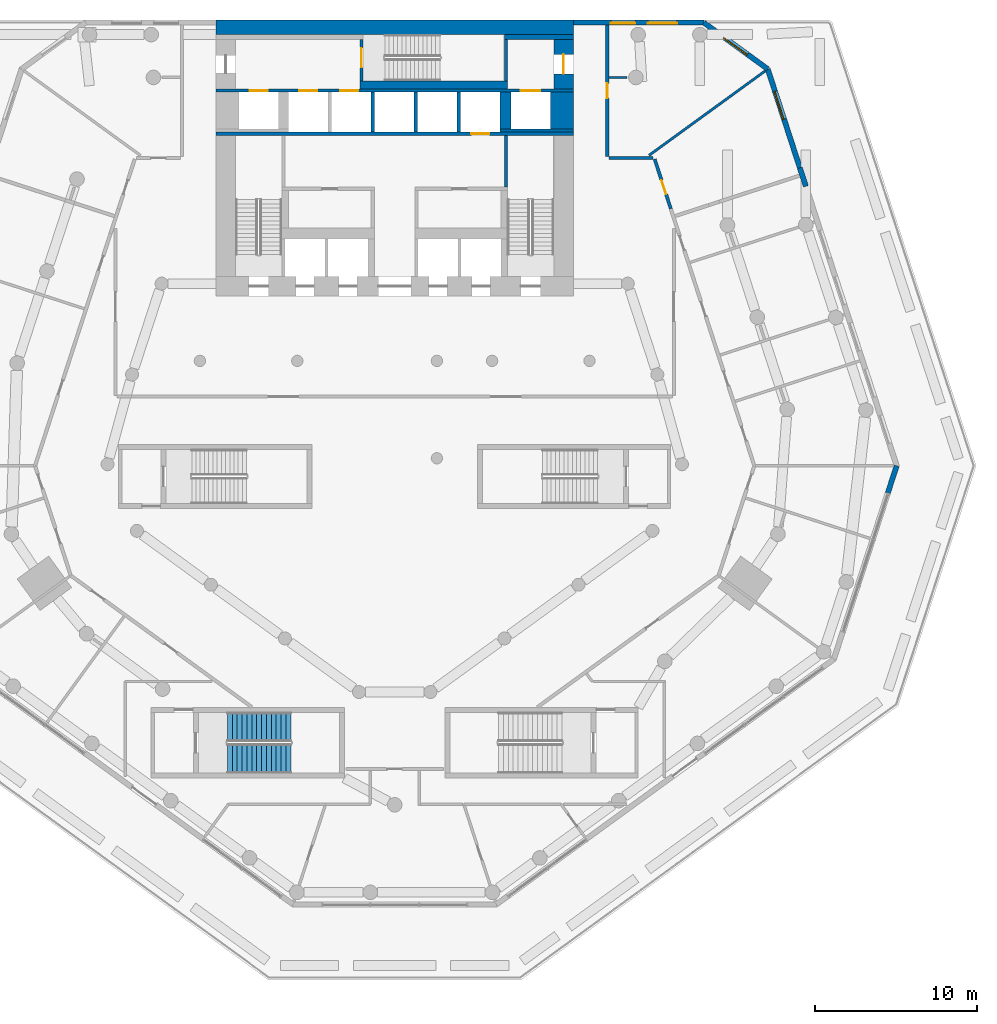
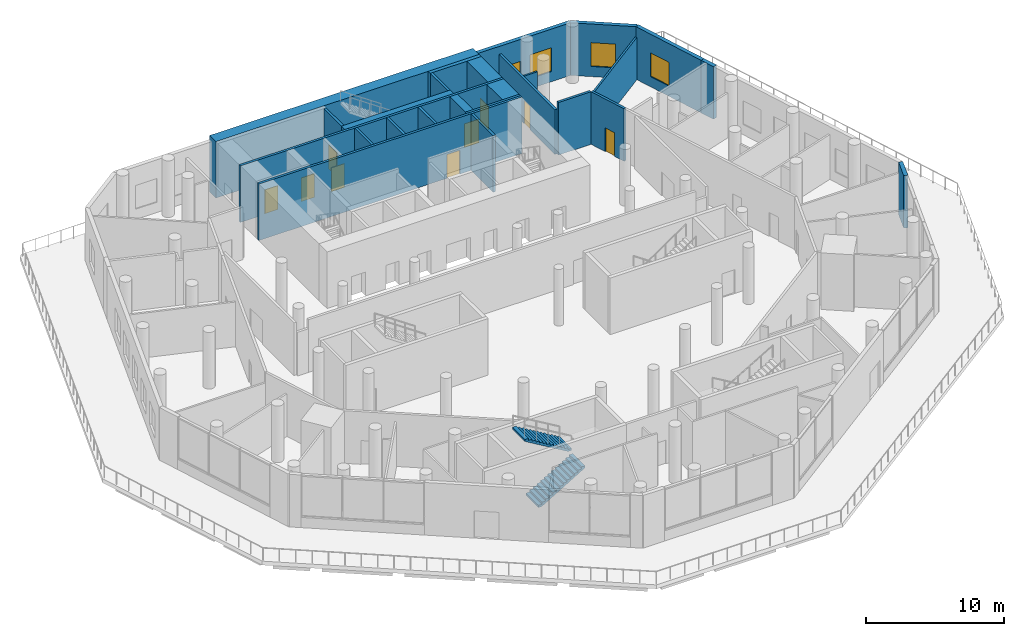
# One storey, part 13 of 19: 25 walls, 9 doors, 4 windows, 2 stair flights, 13 openings, 1 element without a shape of its own.
"""IFC4 building model written with IfcOpenShell, lengths in metres."""

from ifc_helpers import new_model, si_unit, direction, frame, frame_2d, origin, place, context, subcontext, project, spatial, polyline, rectangle, outline, extrude, material, layer, layer_set, type_object, element, fill, aggregate, save


model = new_model("IFC4")

# Units and contexts
model_context = context("Model", 3, precision=1e-05, world=origin(), true_north=direction((0.0, 1.0)))
body_context = subcontext(model_context, "Body", "Model", "MODEL_VIEW")
ifc_project = project(units=[si_unit("LENGTHUNIT", "METRE"), si_unit("AREAUNIT", "SQUARE_METRE"), si_unit("VOLUMEUNIT", "CUBIC_METRE"), si_unit("PLANEANGLEUNIT", "RADIAN"), si_unit("MASSUNIT", "GRAM", prefix="KILO")], contexts=[model_context])

# Site, building, storey
site_placement = place(None, origin())
site = spatial("IfcSite", under=ifc_project, at=site_placement, CompositionType="ELEMENT")
building_placement = place(site_placement, origin())
building = spatial("IfcBuilding", under=site, at=building_placement, Name="White Candle Pilgrim Tower", CompositionType="ELEMENT")
storey_placement = place(building_placement, frame((0.0, 0.0, 29.0)))
storey = spatial("IfcBuildingStorey", under=building, at=storey_placement, Name="L04", CompositionType="ELEMENT", Elevation=29.0)

# Wall, opening, door
ifc_material_1 = material(Name="Concrete C70/85", Category="concrete")
ifc_layer_1 = layer(ifc_material_1, 1.199951171875)
ifc_layer_set_1 = layer_set([ifc_layer_1], Name="Core wall 1200 mm Concrete C70/85")
wall_type_1 = type_object("IfcWallType", Name="Core wall 1200 mm Concrete C70/85", PredefinedType="SHEAR", material=ifc_layer_set_1)
wall_1_placement = place(storey_placement, frame((80.39990234375, 83.75, 0.0), z_axis=(0.0, 0.0, 1.0), x_axis=(0.0, 1.0, 0.0)))
wall_1 = element("IfcWall", 1, at=wall_1_placement, inside=storey, type_object=wall_type_1, Name="WL-L04-C54", PredefinedType="SHEAR", context=body_context, shape_type="SweptSolid", body=[
    extrude(rectangle(XDim=3.050048828125, YDim=1.199951171875, at=frame_2d((1.52490234375, 0.0))), origin(), (0.0, 0.0, 1.0), 5.0),
])
opening_1_placement = place(wall_1_placement, frame((0.925048828125, 0.0, 0.0)))
opening_1 = element("IfcOpeningElement", 2, at=opening_1_placement, cuts=wall_1, Name="Opening L04-006", PredefinedType="OPENING", context=body_context, shape_type="SweptSolid", body=[
    extrude(rectangle(XDim=1.199951171875, YDim=2.10009765625, at=frame_2d((0.60009765625, 1.050048828125))), frame((0.0, 0.60986328125, 0.0), z_axis=(0.0, -1.0, 0.0), x_axis=(1.0, 0.0, 0.0)), (0.0, 0.0, 1.0), 1.219970703125),
])
ifc_material_2 = material(Name="Steel door leaf", Category="steel")
door_type_1 = type_object("IfcDoorType", Name="Fire door 1200 x 2100 EI 30", OperationType="NOTDEFINED", PredefinedType="DOOR", material=ifc_material_2)
door_1_placement = place(opening_1_placement, origin())
door_1 = element("IfcDoor", 3, at=door_1_placement, inside=storey, type_object=door_type_1, Name="Door L04-006", OperationType="SINGLE_SWING_RIGHT", OverallHeight=2.10009765625, OverallWidth=1.199951171875, PredefinedType="DOOR", context=body_context, shape_type="SweptSolid", body=[
    extrude(rectangle(XDim=1.199951171875, YDim=2.10009765625, at=frame_2d((0.60009765625, 1.050048828125))), frame((0.0, 0.02490234375, 0.0), z_axis=(0.0, -1.0, 0.0), x_axis=(1.0, 0.0, 0.0)), (0.0, 0.0, 1.0), 0.050048828125),
])
fill(opening_1, door_1)

# Walls
ifc_layer_2 = layer(ifc_material_1, 1.39990234375)
ifc_layer_set_2 = layer_set([ifc_layer_2], Name="Core wall 1400 mm Concrete C70/85")
wall_type_2 = type_object("IfcWallType", Name="Core wall 1400 mm Concrete C70/85", PredefinedType="SHEAR", material=ifc_layer_set_2)
wall_2_placement = place(storey_placement, frame((80.300048828125, 81.300048828125, 0.0), z_axis=(0.0, 0.0, 1.0), x_axis=(0.0, 1.0, 0.0)))
element("IfcWall", 4, at=wall_2_placement, inside=storey, type_object=wall_type_2, Name="WL-L04-C50", PredefinedType="SHEAR", context=body_context, shape_type="SweptSolid", body=[
    extrude(rectangle(XDim=2.25, YDim=1.39990234375, at=frame_2d((1.125, 0.0))), origin(), (0.0, 0.0, 1.0), 5.0),
])
ifc_layer_3 = layer(ifc_material_1, 0.199951171875)
ifc_layer_set_3 = layer_set([ifc_layer_3], Name="Core wall 200 mm Concrete C70/85")
wall_type_3 = type_object("IfcWallType", Name="Core wall 200 mm Concrete C70/85", PredefinedType="SHEAR", material=ifc_layer_set_3)
wall_3_placement = place(storey_placement, frame((76.5, 81.199951171875, 0.0), z_axis=(0.0, 0.0, 1.0), x_axis=(1.0, 0.0, 0.0)))
element("IfcWall", 5, at=wall_3_placement, inside=storey, type_object=wall_type_3, Name="WL-L04-C46", PredefinedType="SHEAR", context=body_context, shape_type="SweptSolid", body=[
    extrude(rectangle(XDim=4.5, YDim=0.199951171875, at=frame_2d((2.25, 0.0))), origin(), (0.0, 0.0, 1.0), 5.0),
])

# Wall, openings, doors
wall_4_placement = place(storey_placement, frame((59.0, 83.64990234375, 0.0), z_axis=(0.0, 0.0, 1.0), x_axis=(1.0, 0.0, 0.0)))
wall_4 = element("IfcWall", 6, at=wall_4_placement, inside=storey, type_object=wall_type_3, Name="WL-L04-C51", PredefinedType="SHEAR", context=body_context, shape_type="SweptSolid", body=[
    extrude(rectangle(XDim=22.0, YDim=0.199951171875, at=frame_2d((11.0, 0.0))), origin(), (0.0, 0.0, 1.0), 5.0),
])
opening_2_placement = place(wall_4_placement, frame((5.125, 0.0, 0.0)))
opening_2 = element("IfcOpeningElement", 7, at=opening_2_placement, cuts=wall_4, Name="Opening L04-015", PredefinedType="OPENING", context=body_context, shape_type="SweptSolid", body=[
    extrude(rectangle(XDim=1.10009765625, YDim=2.10009765625, at=frame_2d((0.550048828125, 1.050048828125))), frame((0.0, 0.10986328125, 0.0), z_axis=(0.0, -1.0, 0.0), x_axis=(1.0, 0.0, 0.0)), (0.0, 0.0, 1.0), 0.219970703125),
])
opening_3_placement = place(wall_4_placement, frame((7.64990234375, 0.0, 0.0)))
opening_3 = element("IfcOpeningElement", 8, at=opening_3_placement, cuts=wall_4, Name="Opening L04-016", PredefinedType="OPENING", context=body_context, shape_type="SweptSolid", body=[
    extrude(rectangle(XDim=1.10009765625, YDim=2.10009765625, at=frame_2d((0.550048828125, 1.050048828125))), frame((0.0, 0.10986328125, 0.0), z_axis=(0.0, -1.0, 0.0), x_axis=(1.0, 0.0, 0.0)), (0.0, 0.0, 1.0), 0.219970703125),
])
opening_4_placement = place(wall_4_placement, frame((18.77490234375, 0.0, 0.0)))
opening_4 = element("IfcOpeningElement", 9, at=opening_4_placement, cuts=wall_4, Name="Opening L04-022", PredefinedType="OPENING", context=body_context, shape_type="SweptSolid", body=[
    extrude(rectangle(XDim=1.199951171875, YDim=2.10009765625, at=frame_2d((0.60009765625, 1.050048828125))), frame((0.0, 0.10986328125, 0.0), z_axis=(0.0, -1.0, 0.0), x_axis=(1.0, 0.0, 0.0)), (0.0, 0.0, 1.0), 0.219970703125),
])
opening_5_placement = place(wall_4_placement, frame((2.074951171875, 0.0, 0.0)))
opening_5 = element("IfcOpeningElement", 10, at=opening_5_placement, cuts=wall_4, Name="Opening L04-023", PredefinedType="OPENING", context=body_context, shape_type="SweptSolid", body=[
    extrude(rectangle(XDim=1.10009765625, YDim=2.10009765625, at=frame_2d((0.550048828125, 1.050048828125))), frame((0.0, 0.10986328125, 0.0), z_axis=(0.0, -1.0, 0.0), x_axis=(1.0, 0.0, 0.0)), (0.0, 0.0, 1.0), 0.219970703125),
])
ifc_material_3 = material(Name="Stainless steel", Category="steel")
door_type_2 = type_object("IfcDoorType", Name="Lift landing door 1100 x 2100 EI 60", OperationType="DOUBLE_DOOR_SLIDING", PredefinedType="DOOR", material=ifc_material_3)
door_2_placement = place(opening_2_placement, origin())
door_2 = element("IfcDoor", 11, at=door_2_placement, inside=storey, type_object=door_type_2, Name="Door L04-015", OperationType="DOUBLE_DOOR_SLIDING", OverallHeight=2.10009765625, OverallWidth=1.10009765625, PredefinedType="DOOR", context=body_context, shape_type="SweptSolid", body=[
    extrude(rectangle(XDim=1.10009765625, YDim=2.10009765625, at=frame_2d((0.550048828125, 1.050048828125))), frame((0.0, 0.02490234375, 0.0), z_axis=(0.0, -1.0, 0.0), x_axis=(1.0, 0.0, 0.0)), (0.0, 0.0, 1.0), 0.050048828125),
])
fill(opening_2, door_2)
door_3_placement = place(opening_3_placement, origin())
door_3 = element("IfcDoor", 12, at=door_3_placement, inside=storey, type_object=door_type_2, Name="Door L04-016", OperationType="DOUBLE_DOOR_SLIDING", OverallHeight=2.10009765625, OverallWidth=1.10009765625, PredefinedType="DOOR", context=body_context, shape_type="SweptSolid", body=[
    extrude(rectangle(XDim=1.10009765625, YDim=2.10009765625, at=frame_2d((0.550048828125, 1.050048828125))), frame((0.0, 0.02490234375, 0.0), z_axis=(0.0, -1.0, 0.0), x_axis=(1.0, 0.0, 0.0)), (0.0, 0.0, 1.0), 0.050048828125),
])
fill(opening_3, door_3)
door_4_placement = place(opening_5_placement, origin())
door_4 = element("IfcDoor", 13, at=door_4_placement, inside=storey, type_object=door_type_2, Name="Door L04-023", OperationType="DOUBLE_DOOR_SLIDING", OverallHeight=2.10009765625, OverallWidth=1.10009765625, PredefinedType="DOOR", context=body_context, shape_type="SweptSolid", body=[
    extrude(rectangle(XDim=1.10009765625, YDim=2.10009765625, at=frame_2d((0.550048828125, 1.050048828125))), frame((0.0, 0.02490234375, 0.0), z_axis=(0.0, -1.0, 0.0), x_axis=(1.0, 0.0, 0.0)), (0.0, 0.0, 1.0), 0.050048828125),
])
fill(opening_5, door_4)
door_type_3 = type_object("IfcDoorType", Name="Lift landing door 1200 x 2100 E 60", OperationType="DOUBLE_DOOR_SLIDING", PredefinedType="DOOR", material=ifc_material_3)
door_5_placement = place(opening_4_placement, origin())
door_5 = element("IfcDoor", 14, at=door_5_placement, inside=storey, type_object=door_type_3, Name="Door L04-022", OperationType="DOUBLE_DOOR_SLIDING", OverallHeight=2.10009765625, OverallWidth=1.199951171875, PredefinedType="DOOR", context=body_context, shape_type="SweptSolid", body=[
    extrude(rectangle(XDim=1.199951171875, YDim=2.10009765625, at=frame_2d((0.60009765625, 1.050048828125))), frame((0.0, 0.02490234375, 0.0), z_axis=(0.0, -1.0, 0.0), x_axis=(1.0, 0.0, 0.0)), (0.0, 0.0, 1.0), 0.050048828125),
])
fill(opening_4, door_5)

# Wall, opening, door
ifc_material_4 = material(Name="Gypsum board on steel studs", Category="steel")
ifc_layer_4 = layer(ifc_material_4, 0.199951171875)
ifc_layer_set_4 = layer_set([ifc_layer_4], Name="Corridor wall 200 mm EI 45")
wall_type_4 = type_object("IfcWallType", Name="Corridor wall 200 mm EI 45", PredefinedType="PARTITIONING", material=ifc_layer_set_4)
wall_5_placement = place(storey_placement, frame((83.10009765625, 87.679931640625, 0.0), z_axis=(0.0, 0.0, 1.0), x_axis=(0.0, -1.0, 0.0)))
wall_5 = element("IfcWall", 15, at=wall_5_placement, inside=storey, type_object=wall_type_4, Name="WL-L04-P006", PredefinedType="PARTITIONING", context=body_context, shape_type="SweptSolid", body=[
    extrude(rectangle(XDim=8.079833984375, YDim=0.199951171875, at=frame_2d((4.0400390625, 0.0))), origin(), (0.0, 0.0, 1.0), 3.949951171875),
])
opening_6_placement = place(wall_5_placement, frame((3.590087890625, 0.0, 0.0)))
opening_6 = element("IfcOpeningElement", 16, at=opening_6_placement, cuts=wall_5, Name="Opening L04-123", PredefinedType="OPENING", context=body_context, shape_type="SweptSolid", body=[
    extrude(rectangle(XDim=0.89990234375, YDim=2.10009765625, at=frame_2d((0.449951171875, 1.050048828125))), frame((0.0, 0.10986328125, 0.0), z_axis=(0.0, -1.0, 0.0), x_axis=(1.0, 0.0, 0.0)), (0.0, 0.0, 1.0), 0.219970703125),
])
door_type_4 = type_object("IfcDoorType", Name="Fire door 900 x 2100 EI 30", OperationType="NOTDEFINED", PredefinedType="DOOR", material=ifc_material_2)
door_6_placement = place(opening_6_placement, origin())
door_6 = element("IfcDoor", 17, at=door_6_placement, inside=storey, type_object=door_type_4, Name="Door L04-123", OperationType="SINGLE_SWING_LEFT", OverallHeight=2.10009765625, OverallWidth=0.89990234375, PredefinedType="DOOR", context=body_context, shape_type="SweptSolid", body=[
    extrude(rectangle(XDim=0.89990234375, YDim=2.10009765625, at=frame_2d((0.449951171875, 1.050048828125))), frame((0.0, 0.02490234375, 0.0), z_axis=(0.0, -1.0, 0.0), x_axis=(1.0, 0.0, 0.0)), (0.0, 0.0, 1.0), 0.050048828125),
])
fill(opening_6, door_6)

# Wall
wall_6_placement = place(storey_placement, frame((83.199951171875, 79.5, 0.0), z_axis=(0.0, 0.0, 1.0), x_axis=(1.0, 0.0, 0.0)))
element("IfcWall", 18, at=wall_6_placement, inside=storey, type_object=wall_type_4, Name="WL-L04-P007", PredefinedType="PARTITIONING", context=body_context, shape_type="SweptSolid", body=[
    extrude(rectangle(XDim=2.720458984375, YDim=0.199951171875, at=frame_2d((1.3603515625, 0.0))), origin(), (0.0, 0.0, 1.0), 4.64990234375),
])

# Wall, opening, door
wall_7_placement = place(storey_placement, frame((86.015380859375, 79.430908203125, 0.0), z_axis=(0.0, 0.0, 1.0), x_axis=(0.309041420656, -0.951048579369, 0.0)))
wall_7 = element("IfcWall", 19, at=wall_7_placement, inside=storey, type_object=wall_type_4, Name="WL-L04-P008", PredefinedType="PARTITIONING", context=body_context, shape_type="SweptSolid", body=[
    extrude(rectangle(XDim=3.214599609375, YDim=0.199951171875, at=frame_2d((1.607421875, 0.0))), origin(), (0.0, 0.0, 1.0), 4.64990234375),
])
opening_7_placement = place(wall_7_placement, frame((1.376953125, 0.0, 0.0)))
opening_7 = element("IfcOpeningElement", 20, at=opening_7_placement, cuts=wall_7, Name="Opening L04-116", PredefinedType="OPENING", context=body_context, shape_type="SweptSolid", body=[
    extrude(rectangle(XDim=0.89990234375, YDim=2.10009765625, at=frame_2d((0.449951171875, 1.050048828125))), frame((0.0, 0.10986328125, 0.0), z_axis=(0.0, -1.0, 0.0), x_axis=(1.0, 0.0, 0.0)), (0.0, 0.0, 1.0), 0.219970703125),
])
door_7_placement = place(opening_7_placement, origin())
door_7 = element("IfcDoor", 21, at=door_7_placement, inside=storey, type_object=door_type_4, Name="Door L04-116", OperationType="SINGLE_SWING_RIGHT", OverallHeight=2.10009765625, OverallWidth=0.89990234375, PredefinedType="DOOR", context=body_context, shape_type="SweptSolid", body=[
    extrude(rectangle(XDim=0.89990234375, YDim=2.10009765625, at=frame_2d((0.449951171875, 1.050048828125))), frame((0.0, 0.02490234375, 0.0), z_axis=(0.0, -1.0, 0.0), x_axis=(1.0, 0.0, 0.0)), (0.0, 0.0, 1.0), 0.050048828125),
])
fill(opening_7, door_7)

# Wall
ifc_material_5 = material(Name="Precast concrete C40/50", Category="concrete")
ifc_layer_5 = layer(ifc_material_5, 0.320068359375)
ifc_layer_set_5 = layer_set([ifc_layer_5], Name="Facade wall EW3 precast concrete C40/50 and stone-faced podium wall")
wall_type_5 = type_object("IfcWallType", Name="Facade wall EW3 precast concrete C40/50 and stone-faced podium wall", PredefinedType="SOLIDWALL", material=ifc_layer_set_5)
wall_8_placement = place(storey_placement, frame((100.377685546875, 58.861328125, 0.0), z_axis=(0.0, 0.0, 1.0), x_axis=(0.309036002497, 0.951050339972, 0.0)))
element("IfcWall", 22, at=wall_8_placement, inside=storey, type_object=wall_type_5, Name="Facade wall L04 E chamfer", PredefinedType="SOLIDWALL", context=body_context, shape_type="SweptSolid", body=[
    extrude(rectangle(XDim=1.76416015625, YDim=0.320068359375, at=frame_2d((0.882080078125, 0.0))), origin(), (0.0, 0.0, 1.0), 4.64990234375),
])

# Wall, opening, window
wall_9_placement = place(storey_placement, frame((94.95947265625, 78.892578125, 0.0), z_axis=(0.0, 0.0, 1.0), x_axis=(-0.309016163342, 0.951056786314, 0.0)))
wall_9 = element("IfcWall", 23, at=wall_9_placement, inside=storey, type_object=wall_type_5, Name="Facade wall L04 ENE", PredefinedType="SOLIDWALL", context=body_context, shape_type="SweptSolid", body=[
    extrude(rectangle(XDim=6.396240234375, YDim=0.320068359375, at=frame_2d((3.1982421875, 0.0))), origin(), (0.0, 0.0, 1.0), 4.64990234375),
])
opening_8_placement = place(wall_9_placement, frame((3.149169921875, 0.0, 0.89990234375)))
opening_8 = element("IfcOpeningElement", 24, at=opening_8_placement, cuts=wall_9, Name="Opening W8", PredefinedType="OPENING", context=body_context, shape_type="SweptSolid", body=[
    extrude(rectangle(XDim=1.800048828125, YDim=2.10009765625, at=frame_2d((0.89990234375, 1.050048828125))), frame((0.0, 0.169921875, 0.0), z_axis=(0.0, -1.0, 0.0), x_axis=(1.0, 0.0, 0.0)), (0.0, 0.0, 1.0), 0.340087890625),
])
ifc_material_6 = material(Name="Timber frame with triple glazing", Category="wood")
window_type_1 = type_object("IfcWindowType", Name="Window W8 1800x2100 timber frame triple glazing", PartitioningType="SINGLE_PANEL", PredefinedType="WINDOW", material=ifc_material_6)
window_1_placement = place(opening_8_placement, origin())
window_1 = element("IfcWindow", 25, at=window_1_placement, inside=storey, type_object=window_type_1, Name="Window W8 L04 ENE 8", OverallHeight=2.10009765625, OverallWidth=1.800048828125, PartitioningType="SINGLE_PANEL", PredefinedType="WINDOW", context=body_context, shape_type="SweptSolid", body=[
    extrude(rectangle(XDim=1.800048828125, YDim=2.10009765625, at=frame_2d((0.89990234375, 1.050048828125))), frame((0.0, 0.070068359375, 0.0), z_axis=(0.0, -1.0, 0.0), x_axis=(1.0, 0.0, 0.0)), (0.0, 0.0, 1.0), 0.06005859375),
])
fill(opening_8, window_1)

wall_10_placement = place(storey_placement, frame((92.98291015625, 84.975830078125, 0.0), z_axis=(0.0, 0.0, 1.0), x_axis=(-0.809004657531, 0.587802232127, 0.0)))
wall_10 = element("IfcWall", 26, at=wall_10_placement, inside=storey, type_object=wall_type_5, Name="Facade wall L04 NE chamfer", PredefinedType="SOLIDWALL", context=body_context, shape_type="SweptSolid", body=[
    extrude(rectangle(XDim=4.872802734375, YDim=0.320068359375, at=frame_2d((2.4365234375, 0.0))), origin(), (0.0, 0.0, 1.0), 4.64990234375),
])
opening_9_placement = place(wall_10_placement, frame((1.536376953125, 0.0, 0.89990234375)))
opening_9 = element("IfcOpeningElement", 27, at=opening_9_placement, cuts=wall_10, Name="Opening W8", PredefinedType="OPENING", context=body_context, shape_type="SweptSolid", body=[
    extrude(rectangle(XDim=1.800048828125, YDim=2.10009765625, at=frame_2d((0.89990234375, 1.050048828125))), frame((0.0, 0.169921875, 0.0), z_axis=(0.0, -1.0, 0.0), x_axis=(1.0, 0.0, 0.0)), (0.0, 0.0, 1.0), 0.340087890625),
])
window_2_placement = place(opening_9_placement, origin())
window_2 = element("IfcWindow", 28, at=window_2_placement, inside=storey, type_object=window_type_1, Name="Window W8 L04 NE chamfer 1", OverallHeight=2.10009765625, OverallWidth=1.800048828125, PartitioningType="SINGLE_PANEL", PredefinedType="WINDOW", context=body_context, shape_type="SweptSolid", body=[
    extrude(rectangle(XDim=1.800048828125, YDim=2.10009765625, at=frame_2d((0.89990234375, 1.050048828125))), frame((0.0, 0.070068359375, 0.0), z_axis=(0.0, -1.0, 0.0), x_axis=(1.0, 0.0, 0.0)), (0.0, 0.0, 1.0), 0.06005859375),
])
fill(opening_9, window_2)

# Wall, openings, windows
wall_11_placement = place(storey_placement, frame((89.040771484375, 87.840087890625, 0.0), z_axis=(0.0, 0.0, 1.0), x_axis=(-1.0, 0.0, 0.0)))
wall_11 = element("IfcWall", 29, at=wall_11_placement, inside=storey, type_object=wall_type_5, Name="Facade wall L04 N", PredefinedType="SOLIDWALL", context=body_context, shape_type="SweptSolid", body=[
    extrude(rectangle(XDim=8.040771484375, YDim=0.320068359375, at=frame_2d((4.0205078125, 0.0))), origin(), (0.0, 0.0, 1.0), 4.64990234375),
])
opening_10_placement = place(wall_11_placement, frame((1.640869140625, 0.0, 0.89990234375)))
opening_10 = element("IfcOpeningElement", 30, at=opening_10_placement, cuts=wall_11, Name="Opening W8", PredefinedType="OPENING", context=body_context, shape_type="SweptSolid", body=[
    extrude(rectangle(XDim=1.800048828125, YDim=2.10009765625, at=frame_2d((0.89990234375, 1.050048828125))), frame((0.0, 0.169921875, 0.0), z_axis=(0.0, -1.0, 0.0), x_axis=(1.0, 0.0, 0.0)), (0.0, 0.0, 1.0), 0.340087890625),
])
opening_11_placement = place(wall_11_placement, frame((4.2158203125, 0.0, 0.89990234375)))
opening_11 = element("IfcOpeningElement", 31, at=opening_11_placement, cuts=wall_11, Name="Opening W1", PredefinedType="OPENING", context=body_context, shape_type="SweptSolid", body=[
    extrude(rectangle(XDim=1.5, YDim=1.800048828125, at=frame_2d((0.75, 0.89990234375))), frame((0.0, 0.169921875, 0.0), z_axis=(0.0, -1.0, 0.0), x_axis=(1.0, 0.0, 0.0)), (0.0, 0.0, 1.0), 0.340087890625),
])
window_type_2 = type_object("IfcWindowType", Name="Window W1 1500x1800 timber frame triple glazing", PartitioningType="SINGLE_PANEL", PredefinedType="WINDOW", material=ifc_material_6)
window_3_placement = place(opening_11_placement, origin())
window_3 = element("IfcWindow", 32, at=window_3_placement, inside=storey, type_object=window_type_2, Name="Window W1 L04 N 2", OverallHeight=1.800048828125, OverallWidth=1.5, PartitioningType="SINGLE_PANEL", PredefinedType="WINDOW", context=body_context, shape_type="SweptSolid", body=[
    extrude(rectangle(XDim=1.5, YDim=1.800048828125, at=frame_2d((0.75, 0.89990234375))), frame((0.0, 0.070068359375, 0.0), z_axis=(0.0, -1.0, 0.0), x_axis=(1.0, 0.0, 0.0)), (0.0, 0.0, 1.0), 0.06005859375),
])
fill(opening_11, window_3)
window_4_placement = place(opening_10_placement, origin())
window_4 = element("IfcWindow", 33, at=window_4_placement, inside=storey, type_object=window_type_1, Name="Window W8 L04 N 1", OverallHeight=2.10009765625, OverallWidth=1.800048828125, PartitioningType="SINGLE_PANEL", PredefinedType="WINDOW", context=body_context, shape_type="SweptSolid", body=[
    extrude(rectangle(XDim=1.800048828125, YDim=2.10009765625, at=frame_2d((0.89990234375, 1.050048828125))), frame((0.0, 0.070068359375, 0.0), z_axis=(0.0, -1.0, 0.0), x_axis=(1.0, 0.0, 0.0)), (0.0, 0.0, 1.0), 0.06005859375),
])
fill(opening_10, window_4)

# Walls
ifc_layer_6 = layer(ifc_material_5, 0.320068359375)
ifc_layer_set_6 = layer_set([ifc_layer_6], Name="Facade wall EW9 precast concrete C40/50 compartment junction wall EI 120")
wall_type_6 = type_object("IfcWallType", Name="Facade wall EW9 precast concrete C40/50 compartment junction wall EI 120", PredefinedType="SOLIDWALL", material=ifc_layer_set_6)
wall_12_placement = place(storey_placement, frame((95.330322265625, 77.75146484375, 0.0), z_axis=(0.0, 0.0, 1.0), x_axis=(-0.309076870563, 0.951037059258, 0.0)))
element("IfcWall", 34, at=wall_12_placement, inside=storey, type_object=wall_type_6, Name="Facade wall L04 ENE", PredefinedType="SOLIDWALL", context=body_context, shape_type="SweptSolid", body=[
    extrude(rectangle(XDim=1.199951171875, YDim=0.320068359375, at=frame_2d((0.60009765625, 0.0))), origin(), (0.0, 0.0, 1.0), 4.64990234375),
])
ifc_layer_7 = layer(ifc_material_4, 0.14990234375)
ifc_layer_set_7 = layer_set([ifc_layer_7], Name="Partition 150 mm EI 60")
wall_type_7 = type_object("IfcWallType", Name="Partition 150 mm EI 60", PredefinedType="PARTITIONING", material=ifc_layer_set_7)
wall_13_placement = place(storey_placement, frame((92.8466796875, 84.876953125, 0.0), z_axis=(0.0, 0.0, 1.0), x_axis=(-0.809019122312, -0.587782323427, 0.0)))
element("IfcWall", 35, at=wall_13_placement, inside=storey, type_object=wall_type_7, Name="WL-L04-P019", PredefinedType="PARTITIONING", context=body_context, shape_type="SweptSolid", body=[
    extrude(rectangle(XDim=8.87451171875, YDim=0.14990234375, at=frame_2d((4.437255859375, 0.0))), origin(), (0.0, 0.0, 1.0), 3.75),
])
wall_14_placement = place(storey_placement, frame((84.320068359375, 84.457763671875, 0.0), z_axis=(0.0, 0.0, 1.0), x_axis=(-1.0, 0.0, 0.0)))
element("IfcWall", 36, at=wall_14_placement, inside=storey, type_object=wall_type_7, Name="WL-L04-P040", PredefinedType="PARTITIONING", context=body_context, shape_type="SweptSolid", body=[
    extrude(rectangle(XDim=1.1201171875, YDim=0.14990234375, at=frame_2d((0.56005859375, 0.0))), origin(), (0.0, 0.0, 1.0), 3.949951171875),
])
ifc_layer_8 = layer(ifc_material_1, 0.199951171875)
ifc_layer_set_8 = layer_set([ifc_layer_8], Name="Shaft wall 200 mm Concrete C70/85")
wall_type_8 = type_object("IfcWallType", Name="Shaft wall 200 mm Concrete C70/85", PredefinedType="SHEAR", material=ifc_layer_set_8)
for number, where, z_axis, x_axis, name in (
    (37, (68.64990234375, 81.10009765625, 0.0), (0.0, 0.0, 1.0), (0.0, 1.0, 0.0), "WL-L04-C43"),
    (38, (71.300048828125, 81.10009765625, 0.0), (0.0, 0.0, 1.0), (0.0, 1.0, 0.0), "WL-L04-C44"),
    (39, (73.949951171875, 81.10009765625, 0.0), (0.0, 0.0, 1.0), (0.0, 1.0, 0.0), "WL-L04-C45"),
):
    element("IfcWall", number, at=place(storey_placement, frame(where, z_axis=z_axis, x_axis=x_axis)), inside=storey, type_object=wall_type_8, Name=name, PredefinedType="SHEAR", context=body_context, shape_type="SweptSolid", body=[
        extrude(rectangle(XDim=2.449951171875, YDim=0.199951171875, at=frame_2d((1.22509765625, 0.0))), origin(), (0.0, 0.0, 1.0), 5.0),
    ])
ifc_layer_9 = layer(ifc_material_1, 0.64990234375)
ifc_layer_set_9 = layer_set([ifc_layer_9], Name="Shaft wall 650 mm Concrete C70/85")
wall_type_9 = type_object("IfcWallType", Name="Shaft wall 650 mm Concrete C70/85", PredefinedType="SHEAR", material=ifc_layer_set_9)
wall_15_placement = place(storey_placement, frame((76.824951171875, 81.300048828125, 0.0), z_axis=(0.0, 0.0, 1.0), x_axis=(0.0, 1.0, 0.0)))
element("IfcWall", 40, at=wall_15_placement, inside=storey, type_object=wall_type_9, Name="WL-L04-C49", PredefinedType="SHEAR", context=body_context, shape_type="SweptSolid", body=[
    extrude(rectangle(XDim=2.25, YDim=0.64990234375, at=frame_2d((1.125, 0.0))), origin(), (0.0, 0.0, 1.0), 5.0),
])
ifc_layer_10 = layer(ifc_material_1, 0.199951171875)
ifc_layer_set_10 = layer_set([ifc_layer_10], Name="Stair shaft wall 200 mm Concrete C70/85")
wall_type_10 = type_object("IfcWallType", Name="Stair shaft wall 200 mm Concrete C70/85", PredefinedType="SHEAR", material=ifc_layer_set_10)
wall_16_placement = place(storey_placement, frame((76.85009765625, 77.699951171875, 0.0), z_axis=(0.0, 0.0, 1.0), x_axis=(0.0, 1.0, 0.0)))
element("IfcWall", 41, at=wall_16_placement, inside=storey, type_object=wall_type_10, Name="WL-L04-C39", PredefinedType="SHEAR", context=body_context, shape_type="SweptSolid", body=[
    extrude(rectangle(XDim=3.199951171875, YDim=0.199951171875, at=frame_2d((1.60009765625, 0.0))), origin(), (0.0, 0.0, 1.0), 5.0),
])

# Wall, opening, door
wall_17_placement = place(storey_placement, frame((59.0, 81.0, 0.0), z_axis=(0.0, 0.0, 1.0), x_axis=(1.0, 0.0, 0.0)))
wall_17 = element("IfcWall", 42, at=wall_17_placement, inside=storey, type_object=wall_type_10, Name="WL-L04-C40", PredefinedType="SHEAR", context=body_context, shape_type="SweptSolid", body=[
    extrude(rectangle(XDim=22.0, YDim=0.199951171875, at=frame_2d((11.0, 0.0))), origin(), (0.0, 0.0, 1.0), 5.0),
])
opening_12_placement = place(wall_17_placement, frame((15.72509765625, 0.0, 0.0)))
opening_12 = element("IfcOpeningElement", 43, at=opening_12_placement, cuts=wall_17, Name="Opening L04-017", PredefinedType="OPENING", context=body_context, shape_type="SweptSolid", body=[
    extrude(rectangle(XDim=1.10009765625, YDim=2.10009765625, at=frame_2d((0.550048828125, 1.050048828125))), frame((0.0, 0.10986328125, 0.0), z_axis=(0.0, -1.0, 0.0), x_axis=(1.0, 0.0, 0.0)), (0.0, 0.0, 1.0), 0.219970703125),
])
door_type_5 = type_object("IfcDoorType", Name="Lift landing door 1100 x 2100 E 60", OperationType="DOUBLE_DOOR_SLIDING", PredefinedType="DOOR", material=ifc_material_3)
door_8_placement = place(opening_12_placement, origin())
door_8 = element("IfcDoor", 44, at=door_8_placement, inside=storey, type_object=door_type_5, Name="Door L04-017", OperationType="DOUBLE_DOOR_SLIDING", OverallHeight=2.10009765625, OverallWidth=1.10009765625, PredefinedType="DOOR", context=body_context, shape_type="SweptSolid", body=[
    extrude(rectangle(XDim=1.10009765625, YDim=2.10009765625, at=frame_2d((0.550048828125, 1.050048828125))), frame((0.0, 0.02490234375, 0.0), z_axis=(0.0, -1.0, 0.0), x_axis=(1.0, 0.0, 0.0)), (0.0, 0.0, 1.0), 0.050048828125),
])
fill(opening_12, door_8)

wall_18_placement = place(storey_placement, frame((67.949951171875, 84.25, 0.0), z_axis=(0.0, 0.0, 1.0), x_axis=(0.0, 1.0, 0.0)))
wall_18 = element("IfcWall", 45, at=wall_18_placement, inside=storey, type_object=wall_type_10, Name="WL-L04-C55", PredefinedType="SHEAR", context=body_context, shape_type="SweptSolid", body=[
    extrude(rectangle(XDim=2.550048828125, YDim=0.199951171875, at=frame_2d((1.27490234375, 0.0))), origin(), (0.0, 0.0, 1.0), 5.0),
])
opening_13_placement = place(wall_18_placement, frame((0.824951171875, 0.0, 0.0)))
opening_13 = element("IfcOpeningElement", 46, at=opening_13_placement, cuts=wall_18, Name="Opening L04-003", PredefinedType="OPENING", context=body_context, shape_type="SweptSolid", body=[
    extrude(rectangle(XDim=1.199951171875, YDim=2.10009765625, at=frame_2d((0.60009765625, 1.050048828125))), frame((0.0, 0.10986328125, 0.0), z_axis=(0.0, -1.0, 0.0), x_axis=(1.0, 0.0, 0.0)), (0.0, 0.0, 1.0), 0.219970703125),
])
door_type_6 = type_object("IfcDoorType", Name="Fire door 1200 x 2100 EI 60", OperationType="NOTDEFINED", PredefinedType="DOOR", material=ifc_material_2)
door_9_placement = place(opening_13_placement, frame((1.199951171875, 0.0, 0.0), z_axis=(0.0, 0.0, 1.0), x_axis=(-1.0, 0.0, 0.0)))
door_9 = element("IfcDoor", 47, at=door_9_placement, inside=storey, type_object=door_type_6, Name="Door L04-003", OperationType="SINGLE_SWING_RIGHT", OverallHeight=2.10009765625, OverallWidth=1.199951171875, PredefinedType="DOOR", context=body_context, shape_type="SweptSolid", body=[
    extrude(rectangle(XDim=1.199951171875, YDim=2.10009765625, at=frame_2d((0.60009765625, 1.050048828125))), frame((0.0, 0.02490234375, 0.0), z_axis=(0.0, -1.0, 0.0), x_axis=(1.0, 0.0, 0.0)), (0.0, 0.0, 1.0), 0.050048828125),
])
fill(opening_13, door_9)

# Walls
wall_19_placement = place(storey_placement, frame((76.85009765625, 84.25, 0.0), z_axis=(0.0, 0.0, 1.0), x_axis=(0.0, 1.0, 0.0)))
element("IfcWall", 48, at=wall_19_placement, inside=storey, type_object=wall_type_10, Name="WL-L04-C56", PredefinedType="SHEAR", context=body_context, shape_type="SweptSolid", body=[
    extrude(rectangle(XDim=2.550048828125, YDim=0.199951171875, at=frame_2d((1.27490234375, 0.0))), origin(), (0.0, 0.0, 1.0), 5.0),
])
ifc_layer_11 = layer(ifc_material_1, 0.300048828125)
ifc_layer_set_11 = layer_set([ifc_layer_11], Name="Stair shaft wall 300 mm Concrete C70/85")
wall_type_11 = type_object("IfcWallType", Name="Stair shaft wall 300 mm Concrete C70/85", PredefinedType="SHEAR", material=ifc_layer_set_11)
wall_20_placement = place(storey_placement, frame((76.75, 86.949951171875, 0.0), z_axis=(0.0, 0.0, 1.0), x_axis=(1.0, 0.0, 0.0)))
element("IfcWall", 49, at=wall_20_placement, inside=storey, type_object=wall_type_11, Name="WL-L04-C58", PredefinedType="SHEAR", context=body_context, shape_type="SweptSolid", body=[
    extrude(rectangle(XDim=4.25, YDim=0.300048828125, at=frame_2d((2.125, 0.0))), origin(), (0.0, 0.0, 1.0), 5.0),
])
ifc_layer_12 = layer(ifc_material_1, 0.5)
ifc_layer_set_12 = layer_set([ifc_layer_12], Name="Stair shaft wall 500 mm Concrete C70/85")
wall_type_12 = type_object("IfcWallType", Name="Stair shaft wall 500 mm Concrete C70/85", PredefinedType="SHEAR", material=ifc_layer_set_12)
wall_21_placement = place(storey_placement, frame((67.85009765625, 84.0, 0.0), z_axis=(0.0, 0.0, 1.0), x_axis=(1.0, 0.0, 0.0)))
element("IfcWall", 50, at=wall_21_placement, inside=storey, type_object=wall_type_12, Name="WL-L04-C53", PredefinedType="SHEAR", context=body_context, shape_type="SweptSolid", body=[
    extrude(rectangle(XDim=9.099853515625, YDim=0.5, at=frame_2d((4.5498046875, 0.0))), origin(), (0.0, 0.0, 1.0), 5.0),
])
ifc_layer_13 = layer(ifc_material_1, 0.89990234375)
ifc_layer_set_13 = layer_set([ifc_layer_13], Name="Stair shaft wall 900 mm Concrete C70/85")
wall_type_13 = type_object("IfcWallType", Name="Stair shaft wall 900 mm Concrete C70/85", PredefinedType="SHEAR", material=ifc_layer_set_13)
wall_22_placement = place(storey_placement, frame((59.0, 87.550048828125, 0.0), z_axis=(0.0, 0.0, 1.0), x_axis=(1.0, 0.0, 0.0)))
element("IfcWall", 51, at=wall_22_placement, inside=storey, type_object=wall_type_13, Name="WL-L04-C59", PredefinedType="SHEAR", context=body_context, shape_type="SweptSolid", body=[
    extrude(rectangle(XDim=22.0, YDim=0.89990234375, at=frame_2d((11.0, 0.0))), origin(), (0.0, 0.0, 1.0), 5.0),
])

# Stair, stair flights
ifc_material_7 = material(Name="Concrete C40/50", Category="concrete")
stair_type = type_object("IfcStairType", Name="Exit stair 6 flight width 1800 mm", PredefinedType="HALF_TURN_STAIR", material=ifc_material_7)
stair_placement = place(storey_placement, origin())
stair = element("IfcStair", 52, at=stair_placement, inside=storey, type_object=stair_type, Name="L04 stair 6", PredefinedType="NOTDEFINED")
ifc_layer_14 = layer(ifc_material_7, 0.14990234375)
ifc_layer_set_14 = layer_set([ifc_layer_14], Name="Stair flight Concrete C40/50")
stair_flight_type = type_object("IfcStairFlightType", Name="Stair flight Concrete C40/50", PredefinedType="STRAIGHT", material=ifc_layer_set_14)
stair_flight_1_placement = place(storey_placement, frame((59.699951171875, 42.5, 0.0), z_axis=(0.0, 0.0, 1.0), x_axis=(1.0, 0.0, 0.0)))
stair_flight_1 = element("IfcStairFlight", 53, at=stair_flight_1_placement, type_object=stair_flight_type, Name="ST6 flight 1", NumberOfRisers=14, NumberOfTreads=13, PredefinedType="NOTDEFINED", RiserHeight=0.178571429, TreadLength=0.3, context=body_context, shape_type="SweptSolid", body=[
    extrude(outline(polyline([(0.0, 0.0), (0.0, 0.178466796875), (0.300048828125, 0.178466796875), (0.300048828125, 0.357177734375), (0.60009765625, 0.357177734375), (0.60009765625, 0.53564453125), (0.89990234375, 0.53564453125), (0.89990234375, 0.71435546875), (1.199951171875, 0.71435546875), (1.199951171875, 0.892822265625), (1.5, 0.892822265625), (1.5, 1.071533203125), (1.800048828125, 1.071533203125), (1.800048828125, 1.25), (2.10009765625, 1.25), (2.10009765625, 1.428466796875), (2.39990234375, 1.428466796875), (2.39990234375, 1.607177734375), (2.699951171875, 1.607177734375), (2.699951171875, 1.78564453125), (3.0, 1.78564453125), (3.0, 1.96435546875), (3.300048828125, 1.96435546875), (3.300048828125, 2.142822265625), (3.60009765625, 2.142822265625), (3.60009765625, 2.321533203125), (3.89990234375, 2.321533203125), (3.89990234375, 2.5), (3.89990234375, 2.14697265625), (0.29296875, 0.0), (0.0, 0.0)])), frame((0.0, 0.89990234375, 0.0), z_axis=(0.0, -1.0, 0.0), x_axis=(1.0, 0.0, 0.0)), (0.0, 0.0, 1.0), 1.800048828125),
])
stair_flight_2_placement = place(storey_placement, frame((63.60009765625, 44.449951171875, 2.5), z_axis=(0.0, 0.0, 1.0), x_axis=(-1.0, 0.0, 0.0)))
stair_flight_2 = element("IfcStairFlight", 54, at=stair_flight_2_placement, type_object=stair_flight_type, Name="ST6 flight 2", NumberOfRisers=14, NumberOfTreads=13, PredefinedType="NOTDEFINED", RiserHeight=0.178571429, TreadLength=0.3, context=body_context, shape_type="SweptSolid", body=[
    extrude(outline(polyline([(0.0, 0.0), (0.0, 0.178466796875), (0.300048828125, 0.178466796875), (0.300048828125, 0.357177734375), (0.60009765625, 0.357177734375), (0.60009765625, 0.53564453125), (0.89990234375, 0.53564453125), (0.89990234375, 0.71435546875), (1.199951171875, 0.71435546875), (1.199951171875, 0.892822265625), (1.5, 0.892822265625), (1.5, 1.071533203125), (1.800048828125, 1.071533203125), (1.800048828125, 1.25), (2.10009765625, 1.25), (2.10009765625, 1.428466796875), (2.39990234375, 1.428466796875), (2.39990234375, 1.607177734375), (2.699951171875, 1.607177734375), (2.699951171875, 1.78564453125), (3.0, 1.78564453125), (3.0, 1.96435546875), (3.300048828125, 1.96435546875), (3.300048828125, 2.142822265625), (3.60009765625, 2.142822265625), (3.60009765625, 2.321533203125), (3.89990234375, 2.321533203125), (3.89990234375, 2.5), (3.89990234375, 2.14697265625), (0.29296875, 0.0), (0.0, 0.0)])), frame((0.0, 0.89990234375, 0.0), z_axis=(0.0, -1.0, 0.0), x_axis=(1.0, 0.0, 0.0)), (0.0, 0.0, 1.0), 1.800048828125),
])
aggregate(stair, [stair_flight_1, stair_flight_2])

save(model, "model.ifc")
